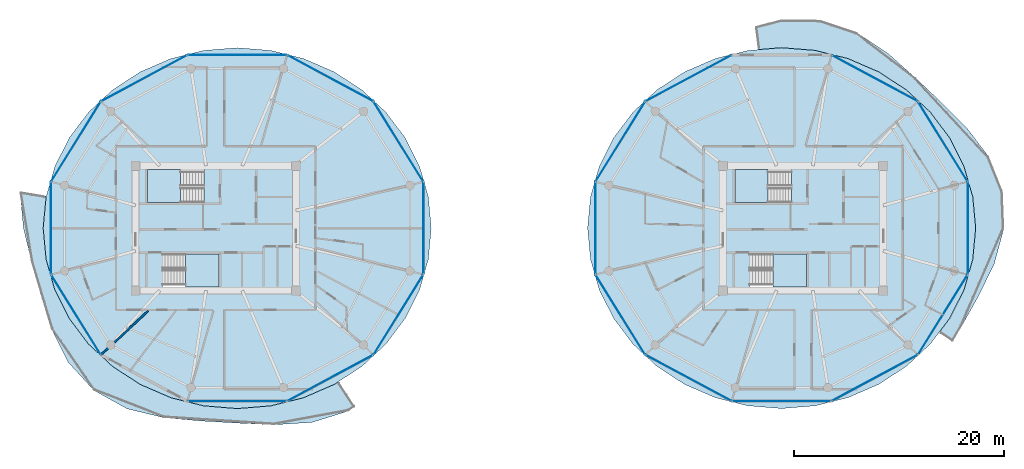
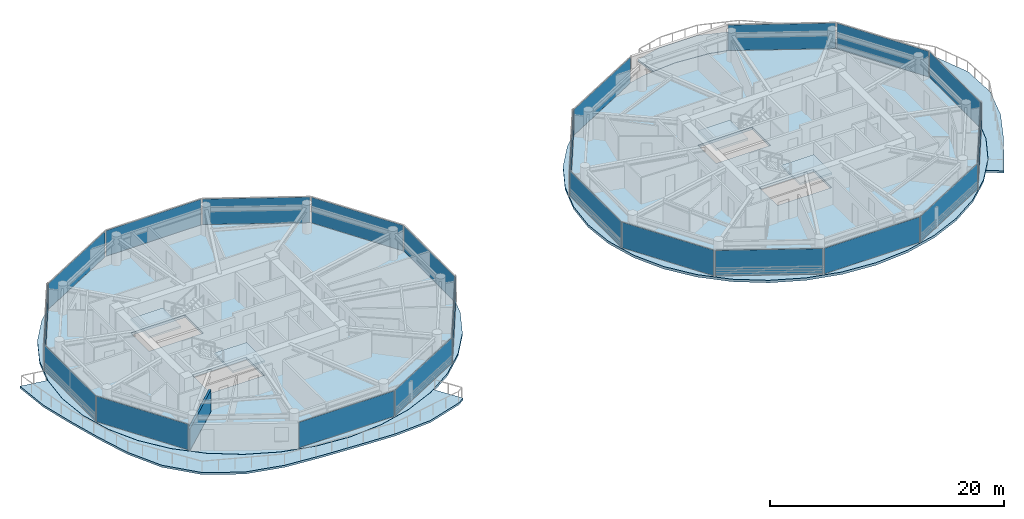
# One storey, part 12 of 24: 22 plates, 8 slabs, 1 wall, 26 elements without a shape of their own.
"""IFC4 building model written with IfcOpenShell, lengths in metres."""

from ifc_helpers import new_model, si_unit, direction, frame, frame_2d, origin, origin_2d, place, context, subcontext, project, spatial, polyline, rectangle, outline, extrude, source, transform, mapped, material, layer, layer_set, type_object, type_shapes, element, aggregate, save


model = new_model("IFC4")

# Units and contexts
model_context = context("Model", 3, precision=1e-05, world=origin(), true_north=direction((0.0, 1.0)))
body_context = subcontext(model_context, "Body", "Model", "MODEL_VIEW")
ifc_project = project(units=[si_unit("LENGTHUNIT", "METRE"), si_unit("AREAUNIT", "SQUARE_METRE"), si_unit("VOLUMEUNIT", "CUBIC_METRE"), si_unit("PLANEANGLEUNIT", "RADIAN"), si_unit("MASSUNIT", "GRAM", prefix="KILO")], contexts=[model_context])

# Site, building, storey
site_placement = place(None, origin())
site = spatial("IfcSite", under=ifc_project, at=site_placement, CompositionType="ELEMENT")
building_placement = place(site_placement, origin())
building = spatial("IfcBuilding", under=site, at=building_placement, Name="Norrkilde Senior Care Towers", CompositionType="ELEMENT")
storey_placement = place(building_placement, frame((0.0, 0.0, 108.449951171875)))
storey = spatial("IfcBuildingStorey", under=building, at=storey_placement, Name="L33", CompositionType="ELEMENT", Elevation=108.449951171875)

# Slabs
ifc_material_1 = material(Name="Concrete C50/60", Category="concrete")
ifc_layer_1 = layer(ifc_material_1, 0.215087890625)
ifc_layer_set_1 = layer_set([ifc_layer_1], Name="Concrete C50/60")
slab_type_1 = type_object("IfcSlabType", Name="Sinusoidal Balcony Ribbon Slab 215", PredefinedType="FLOOR", material=ifc_layer_set_1)
slab_1_placement = place(storey_placement, frame((0.0, 0.0, -0.21484375)))
element("IfcSlab", 1, at=slab_1_placement, inside=storey, type_object=slab_type_1, Name="L33 Drum W Swirling Senior Balcony 1", PredefinedType="FLOOR", context=body_context, shape_type="SweptSolid", body=[
    extrude(outline(polyline([(-18.824951171875, -18.520263671875), (-22.440673828125, -18.749267578125), (-25.949951171875, -18.587890625), (-29.39990234375, -18.38720703125), (-32.923828125, -18.073486328125), (-36.4501953125, -17.224853515625), (-39.625, -15.462158203125), (-42.053466796875, -12.79931640625), (-43.639892578125, -9.635986328125), (-44.67578125, -6.407958984375), (-45.55078125, -3.248779296875), (-46.33544921875, 0.0), (-46.66015625, 3.4580078125), (-44.15869140625, 3.040283203125), (-44.173828125, 2.987548828125), (-44.455078125, 0.0), (-44.173828125, -2.987548828125), (-43.339111328125, -5.884521484375), (-41.975830078125, -8.6025390625), (-40.125732421875, -11.05908203125), (-37.8447265625, -13.1796875), (-35.202392578125, -14.89990234375), (-32.279052734375, -16.16748046875), (-29.163330078125, -16.943603515625), (-25.949951171875, -17.205078125), (-22.736572265625, -16.943603515625), (-19.620849609375, -16.16748046875), (-16.697509765625, -14.89990234375), (-16.2919921875, -14.635986328125), (-14.72900390625, -17.00439453125), (-15.33642578125, -17.435791015625), (-18.824951171875, -18.520263671875)])), origin(), (0.0, 0.0, 1.0), 0.21484375),
])
slab_2_placement = place(storey_placement, frame((0.0, 0.0, -0.21484375)))
element("IfcSlab", 2, at=slab_2_placement, inside=storey, type_object=slab_type_1, Name="L33 Drum E Swirling Senior Balcony 1", PredefinedType="FLOOR", context=body_context, shape_type="SweptSolid", body=[
    extrude(outline(polyline([(43.1328125, -9.321044921875), (42.260009765625, -10.814453125), (40.95947265625, -9.9521484375), (41.975830078125, -8.6025390625), (43.339111328125, -5.884521484375), (44.173828125, -2.987548828125), (44.455078125, 0.0), (44.173828125, 2.987548828125), (43.339111328125, 5.884521484375), (41.975830078125, 8.6025390625), (40.125732421875, 11.05908203125), (37.8447265625, 13.1796875), (35.202392578125, 14.89990234375), (32.279052734375, 16.16748046875), (29.163330078125, 16.943603515625), (25.949951171875, 17.205078125), (23.742431640625, 17.025390625), (23.46044921875, 19.200439453125), (25.949951171875, 19.843505859375), (29.631591796875, 19.800048828125), (33.111572265625, 18.62744140625), (36.12890625, 16.6259765625), (38.727783203125, 14.31201171875), (41.166015625, 11.998291015625), (43.5732421875, 9.5947265625), (45.695556640625, 6.80712890625), (47.0107421875, 3.525634765625), (47.15087890625, 0.0), (46.230224609375, -3.377685546875), (44.744384765625, -6.434814453125), (43.1328125, -9.321044921875)])), origin(), (0.0, 0.0, 1.0), 0.21484375),
])

# Stair, slab
ifc_material_2 = material(Name="Concrete C45/55", Category="concrete")
stair_type = type_object("IfcStairType", Name="Core Protected Dogleg Stair Typical 3050", PredefinedType="HALF_TURN_STAIR", material=ifc_material_2)
stair_1_placement = place(storey_placement, origin())
stair_1 = element("IfcStair", 3, at=stair_1_placement, inside=storey, type_object=stair_type, Name="L33 Protected Core Stair W1", PredefinedType="HALF_TURN_STAIR")
ifc_layer_2 = layer(ifc_material_2, 0.199951171875)
ifc_layer_set_2 = layer_set([ifc_layer_2], Name="Concrete C45/55")
slab_type_2 = type_object("IfcSlabType", Name="Stair Landing Slab 200", PredefinedType="LANDING", material=ifc_layer_set_2)
slab_3_placement = place(storey_placement, frame((0.0, 0.0, 1.324951171875)))
slab_3 = element("IfcSlab", 4, at=slab_3_placement, type_object=slab_type_2, Name="ST-W1 landing 1", PredefinedType="LANDING", context=body_context, shape_type="SweptSolid", body=[
    extrude(outline(polyline([(-31.340087890625, 5.590087890625), (-34.5, 5.590087890625), (-34.5, 2.449951171875), (-31.340087890625, 2.449951171875), (-31.340087890625, 5.590087890625)])), origin(), (0.0, 0.0, 1.0), 0.2001953125),
])
aggregate(stair_1, [slab_3])

stair_2_placement = place(storey_placement, origin())
stair_2 = element("IfcStair", 5, at=stair_2_placement, inside=storey, type_object=stair_type, Name="L33 Protected Core Stair W2", PredefinedType="HALF_TURN_STAIR")
slab_4_placement = place(storey_placement, frame((0.0, 0.0, 1.324951171875)))
slab_4 = element("IfcSlab", 6, at=slab_4_placement, type_object=slab_type_2, Name="ST-W2 landing 1", PredefinedType="LANDING", context=body_context, shape_type="SweptSolid", body=[
    extrude(outline(polyline([(-30.860107421875, -5.590087890625), (-27.699951171875, -5.590087890625), (-27.699951171875, -2.449951171875), (-30.860107421875, -2.449951171875), (-30.860107421875, -5.590087890625)])), origin(), (0.0, 0.0, 1.0), 0.2001953125),
])
aggregate(stair_2, [slab_4])

stair_3_placement = place(storey_placement, origin())
stair_3 = element("IfcStair", 7, at=stair_3_placement, inside=storey, type_object=stair_type, Name="L33 Protected Core Stair E1", PredefinedType="HALF_TURN_STAIR")
slab_5_placement = place(storey_placement, frame((0.0, 0.0, 1.324951171875)))
slab_5 = element("IfcSlab", 8, at=slab_5_placement, type_object=slab_type_2, Name="ST-E1 landing 1", PredefinedType="LANDING", context=body_context, shape_type="SweptSolid", body=[
    extrude(outline(polyline([(24.659912109375, 5.590087890625), (21.5, 5.590087890625), (21.5, 2.449951171875), (24.659912109375, 2.449951171875), (24.659912109375, 5.590087890625)])), origin(), (0.0, 0.0, 1.0), 0.2001953125),
])
aggregate(stair_3, [slab_5])

stair_4_placement = place(storey_placement, origin())
stair_4 = element("IfcStair", 9, at=stair_4_placement, inside=storey, type_object=stair_type, Name="L33 Protected Core Stair E2", PredefinedType="HALF_TURN_STAIR")
slab_6_placement = place(storey_placement, frame((0.0, 0.0, 1.324951171875)))
slab_6 = element("IfcSlab", 10, at=slab_6_placement, type_object=slab_type_2, Name="ST-E2 landing 1", PredefinedType="LANDING", context=body_context, shape_type="SweptSolid", body=[
    extrude(outline(polyline([(25.139892578125, -5.590087890625), (28.300048828125, -5.590087890625), (28.300048828125, -2.449951171875), (25.139892578125, -2.449951171875), (25.139892578125, -5.590087890625)])), origin(), (0.0, 0.0, 1.0), 0.2001953125),
])
aggregate(stair_4, [slab_6])

# Slabs
ifc_layer_3 = layer(ifc_material_1, 0.260009765625)
ifc_layer_set_3 = layer_set([ifc_layer_3], Name="Concrete C50/60")
slab_type_3 = type_object("IfcSlabType", Name="Tower Care Floor Slab 260", PredefinedType="FLOOR", material=ifc_layer_set_3)
slab_7_placement = place(storey_placement, frame((0.0, 0.0, -0.260009765625)))
element("IfcSlab", 11, at=slab_7_placement, inside=storey, type_object=slab_type_3, Name="L33 Drum W Structural Floor Slab", PredefinedType="FLOOR", context=body_context, shape_type="SweptSolid", body=[
    extrude(outline(polyline([(-8.565673828125, -5.8828125), (-9.928466796875, -8.60009765625), (-11.778076171875, -11.055908203125), (-14.058349609375, -13.176025390625), (-16.699951171875, -14.895751953125), (-19.62255859375, -16.16259765625), (-22.737548828125, -16.938720703125), (-25.949951171875, -17.199951171875), (-29.16259765625, -16.938720703125), (-32.27734375, -16.16259765625), (-35.199951171875, -14.895751953125), (-37.841552734375, -13.176025390625), (-40.121826171875, -11.055908203125), (-41.971435546875, -8.60009765625), (-43.334228515625, -5.8828125), (-44.1689453125, -2.98681640625), (-44.449951171875, 0.0), (-44.1689453125, 2.98681640625), (-43.334228515625, 5.8828125), (-41.971435546875, 8.60009765625), (-40.121826171875, 11.055908203125), (-37.841552734375, 13.176025390625), (-35.199951171875, 14.895751953125), (-32.27734375, 16.16259765625), (-29.16259765625, 16.938720703125), (-25.949951171875, 17.199951171875), (-22.737548828125, 16.938720703125), (-19.62255859375, 16.16259765625), (-16.699951171875, 14.895751953125), (-14.058349609375, 13.176025390625), (-11.778076171875, 11.055908203125), (-9.928466796875, 8.60009765625), (-8.565673828125, 5.8828125), (-7.73095703125, 2.98681640625), (-7.449951171875, 0.0), (-7.73095703125, -2.98681640625), (-8.565673828125, -5.8828125)]), holes=[polyline([(-34.48193359375, 2.468017578125), (-29.117919921875, 2.468017578125), (-29.117919921875, 5.590087890625), (-34.48193359375, 5.590087890625), (-34.48193359375, 2.468017578125)]), polyline([(-27.718017578125, -5.590087890625), (-27.718017578125, -2.468017578125), (-33.08203125, -2.468017578125), (-33.08203125, -5.590087890625), (-27.718017578125, -5.590087890625)])]), origin(), (0.0, 0.0, 1.0), 0.260009765625),
])
slab_8_placement = place(storey_placement, frame((0.0, 0.0, -0.260009765625)))
element("IfcSlab", 12, at=slab_8_placement, inside=storey, type_object=slab_type_3, Name="L33 Drum E Structural Floor Slab", PredefinedType="FLOOR", context=body_context, shape_type="SweptSolid", body=[
    extrude(outline(polyline([(43.334228515625, -5.8828125), (41.971435546875, -8.60009765625), (40.121826171875, -11.055908203125), (37.841552734375, -13.176025390625), (35.199951171875, -14.895751953125), (32.27734375, -16.16259765625), (29.16259765625, -16.938720703125), (25.949951171875, -17.199951171875), (22.737548828125, -16.938720703125), (19.62255859375, -16.16259765625), (16.699951171875, -14.895751953125), (14.058349609375, -13.176025390625), (11.778076171875, -11.055908203125), (9.928466796875, -8.60009765625), (8.565673828125, -5.8828125), (7.73095703125, -2.98681640625), (7.449951171875, 0.0), (7.73095703125, 2.98681640625), (8.565673828125, 5.8828125), (9.928466796875, 8.60009765625), (11.778076171875, 11.055908203125), (14.058349609375, 13.176025390625), (16.699951171875, 14.895751953125), (19.62255859375, 16.16259765625), (22.737548828125, 16.938720703125), (25.949951171875, 17.199951171875), (29.16259765625, 16.938720703125), (32.27734375, 16.16259765625), (35.199951171875, 14.895751953125), (37.841552734375, 13.176025390625), (40.121826171875, 11.055908203125), (41.971435546875, 8.60009765625), (43.334228515625, 5.8828125), (44.1689453125, 2.98681640625), (44.449951171875, 0.0), (44.1689453125, -2.98681640625), (43.334228515625, -5.8828125)]), holes=[polyline([(21.51806640625, 2.468017578125), (26.882080078125, 2.468017578125), (26.882080078125, 5.590087890625), (21.51806640625, 5.590087890625), (21.51806640625, 2.468017578125)]), polyline([(28.281982421875, -5.590087890625), (28.281982421875, -2.468017578125), (22.91796875, -2.468017578125), (22.91796875, -5.590087890625), (28.281982421875, -5.590087890625)])]), origin(), (0.0, 0.0, 1.0), 0.260009765625),
])

# Curtain wall, plate
ifc_material_3 = material(Name="Triple Low-E Insulated Glazing", Category="glass")
ifc_layer_4 = layer(ifc_material_3, 0.195068359375)
ifc_layer_set_4 = layer_set([ifc_layer_4], Name="Triple Low-E Insulated Glazing")
curtain_wall_type = type_object("IfcCurtainWallType", Name="CW3 Zone 2 Assisted Living Curtain Wall", PredefinedType="NOTDEFINED", material=ifc_layer_set_4)
curtain_wall_1_placement = place(storey_placement, origin())
curtain_wall_1 = element("IfcCurtainWall", 13, at=curtain_wall_1_placement, inside=storey, type_object=curtain_wall_type, Name="L33 Drum W Curtain Wall 00", PredefinedType="NOTDEFINED")
ifc_layer_5 = layer(ifc_material_3, 0.035888671875)
ifc_layer_set_5 = layer_set([ifc_layer_5], Name="Triple Low-E Insulated Glazing")
plate_type = type_object("IfcPlateType", Name="Triple Low-E Vision Curtain Panel 36", PredefinedType="CURTAIN_PANEL", material=ifc_layer_set_5)
shared_shape_1 = source(origin(), body_context, "Body", "SweptSolid", [
    extrude(rectangle(XDim=8.88427734375, YDim=0.035888671875, at=origin_2d()), origin(), (0.0, 0.0, 1.0), 2.669921875),
])
plate_1_placement = place(storey_placement, frame((-10.574951171875, 8.2490234375, 0.06005859375), z_axis=(0.0, 0.0, 1.0), x_axis=(0.527733228002, -0.849410171862, 0.0)))
plate_1 = element("IfcPlate", 14, at=plate_1_placement, type_object=plate_type, Name="CW-3 panel 1.1", PredefinedType="CURTAIN_PANEL", context=body_context, shape_type="MappedRepresentation", body=[
    mapped(shared_shape_1, transform((0.0, 0.0, 0.0), x_axis=(1.0, 0.0, 0.0), y_axis=(0.0, 1.0, 0.0), z_axis=(0.0, 0.0, 1.0), scale=1.0)),
])
aggregate(curtain_wall_1, [plate_1])

curtain_wall_2_placement = place(storey_placement, origin())
curtain_wall_2 = element("IfcCurtainWall", 15, at=curtain_wall_2_placement, inside=storey, type_object=curtain_wall_type, Name="L33 Drum W Curtain Wall 04", PredefinedType="NOTDEFINED")
plate_2_placement = place(storey_placement, frame((-41.3251953125, 8.2490234375, 0.06005859375), z_axis=(0.0, 0.0, 1.0), x_axis=(0.527733228002, 0.849410171862, 0.0)))
plate_2 = element("IfcPlate", 16, at=plate_2_placement, type_object=plate_type, Name="CW-3 panel 1.1", PredefinedType="CURTAIN_PANEL", context=body_context, shape_type="MappedRepresentation", body=[
    mapped(shared_shape_1, transform((0.0, 0.0, 0.0), x_axis=(1.0, 0.0, 0.0), y_axis=(0.0, 1.0, 0.0), z_axis=(0.0, 0.0, 1.0), scale=1.0)),
])
aggregate(curtain_wall_2, [plate_2])

curtain_wall_3_placement = place(storey_placement, origin())
curtain_wall_3 = element("IfcCurtainWall", 17, at=curtain_wall_3_placement, inside=storey, type_object=curtain_wall_type, Name="L33 Drum W Curtain Wall 06", PredefinedType="NOTDEFINED")
plate_3_placement = place(storey_placement, frame((-41.3251953125, -8.2490234375, 0.06005859375), z_axis=(0.0, 0.0, 1.0), x_axis=(-0.527733228002, 0.849410171862, 0.0)))
plate_3 = element("IfcPlate", 18, at=plate_3_placement, type_object=plate_type, Name="CW-3 panel 1.1", PredefinedType="CURTAIN_PANEL", context=body_context, shape_type="MappedRepresentation", body=[
    mapped(shared_shape_1, transform((0.0, 0.0, 0.0), x_axis=(1.0, 0.0, 0.0), y_axis=(0.0, 1.0, 0.0), z_axis=(0.0, 0.0, 1.0), scale=1.0)),
])
aggregate(curtain_wall_3, [plate_3])

curtain_wall_4_placement = place(storey_placement, origin())
curtain_wall_4 = element("IfcCurtainWall", 19, at=curtain_wall_4_placement, inside=storey, type_object=curtain_wall_type, Name="L33 Drum W Curtain Wall 10", PredefinedType="NOTDEFINED")
plate_4_placement = place(storey_placement, frame((-10.574951171875, -8.2490234375, 0.06005859375), z_axis=(0.0, 0.0, 1.0), x_axis=(-0.527733228002, -0.849410171862, 0.0)))
plate_4 = element("IfcPlate", 20, at=plate_4_placement, type_object=plate_type, Name="CW-3 panel 1.1", PredefinedType="CURTAIN_PANEL", context=body_context, shape_type="MappedRepresentation", body=[
    mapped(shared_shape_1, transform((0.0, 0.0, 0.0), x_axis=(1.0, 0.0, 0.0), y_axis=(0.0, 1.0, 0.0), z_axis=(0.0, 0.0, 1.0), scale=1.0)),
])
aggregate(curtain_wall_4, [plate_4])

curtain_wall_5_placement = place(storey_placement, origin())
curtain_wall_5 = element("IfcCurtainWall", 21, at=curtain_wall_5_placement, inside=storey, type_object=curtain_wall_type, Name="L33 Drum E Curtain Wall 00", PredefinedType="NOTDEFINED")
plate_5_placement = place(storey_placement, frame((41.3251953125, 8.2490234375, 0.06005859375), z_axis=(0.0, 0.0, 1.0), x_axis=(0.527733228002, -0.849410171862, 0.0)))
plate_5 = element("IfcPlate", 22, at=plate_5_placement, type_object=plate_type, Name="CW-3 panel 1.1", PredefinedType="CURTAIN_PANEL", context=body_context, shape_type="MappedRepresentation", body=[
    mapped(shared_shape_1, transform((0.0, 0.0, 0.0), x_axis=(1.0, 0.0, 0.0), y_axis=(0.0, 1.0, 0.0), z_axis=(0.0, 0.0, 1.0), scale=1.0)),
])
aggregate(curtain_wall_5, [plate_5])

curtain_wall_6_placement = place(storey_placement, origin())
curtain_wall_6 = element("IfcCurtainWall", 23, at=curtain_wall_6_placement, inside=storey, type_object=curtain_wall_type, Name="L33 Drum E Curtain Wall 04", PredefinedType="NOTDEFINED")
plate_6_placement = place(storey_placement, frame((10.574951171875, 8.2490234375, 0.06005859375), z_axis=(0.0, 0.0, 1.0), x_axis=(0.527733228002, 0.849410171862, 0.0)))
plate_6 = element("IfcPlate", 24, at=plate_6_placement, type_object=plate_type, Name="CW-3 panel 1.1", PredefinedType="CURTAIN_PANEL", context=body_context, shape_type="MappedRepresentation", body=[
    mapped(shared_shape_1, transform((0.0, 0.0, 0.0), x_axis=(1.0, 0.0, 0.0), y_axis=(0.0, 1.0, 0.0), z_axis=(0.0, 0.0, 1.0), scale=1.0)),
])
aggregate(curtain_wall_6, [plate_6])

curtain_wall_7_placement = place(storey_placement, origin())
curtain_wall_7 = element("IfcCurtainWall", 25, at=curtain_wall_7_placement, inside=storey, type_object=curtain_wall_type, Name="L33 Drum E Curtain Wall 06", PredefinedType="NOTDEFINED")
plate_7_placement = place(storey_placement, frame((10.574951171875, -8.2490234375, 0.06005859375), z_axis=(0.0, 0.0, 1.0), x_axis=(-0.527733228002, 0.849410171862, 0.0)))
plate_7 = element("IfcPlate", 26, at=plate_7_placement, type_object=plate_type, Name="CW-3 panel 1.1", PredefinedType="CURTAIN_PANEL", context=body_context, shape_type="MappedRepresentation", body=[
    mapped(shared_shape_1, transform((0.0, 0.0, 0.0), x_axis=(1.0, 0.0, 0.0), y_axis=(0.0, 1.0, 0.0), z_axis=(0.0, 0.0, 1.0), scale=1.0)),
])
aggregate(curtain_wall_7, [plate_7])

curtain_wall_8_placement = place(storey_placement, origin())
curtain_wall_8 = element("IfcCurtainWall", 27, at=curtain_wall_8_placement, inside=storey, type_object=curtain_wall_type, Name="L33 Drum E Curtain Wall 10", PredefinedType="NOTDEFINED")
plate_8_placement = place(storey_placement, frame((41.3251953125, -8.2490234375, 0.06005859375), z_axis=(0.0, 0.0, 1.0), x_axis=(-0.527733228002, -0.849410171862, 0.0)))
plate_8 = element("IfcPlate", 28, at=plate_8_placement, type_object=plate_type, Name="CW-3 panel 1.1", PredefinedType="CURTAIN_PANEL", context=body_context, shape_type="MappedRepresentation", body=[
    mapped(shared_shape_1, transform((0.0, 0.0, 0.0), x_axis=(1.0, 0.0, 0.0), y_axis=(0.0, 1.0, 0.0), z_axis=(0.0, 0.0, 1.0), scale=1.0)),
])
aggregate(curtain_wall_8, [plate_8])

curtain_wall_9_placement = place(storey_placement, origin())
curtain_wall_9 = element("IfcCurtainWall", 29, at=curtain_wall_9_placement, inside=storey, type_object=curtain_wall_type, Name="L33 Drum W Curtain Wall 01", PredefinedType="NOTDEFINED")
shared_shape_2 = source(origin(), body_context, "Body", "SweptSolid", [
    extrude(rectangle(XDim=9.220458984375, YDim=0.035888671875, at=origin_2d()), origin(), (0.0, 0.0, 1.0), 2.669921875),
])
plate_9_placement = place(storey_placement, frame((-17.0732421875, 14.28759765625, 0.06005859375), z_axis=(0.0, 0.0, 1.0), x_axis=(0.881186184668, -0.472769402511, 0.0)))
plate_9 = element("IfcPlate", 30, at=plate_9_placement, type_object=plate_type, Name="CW-3 panel 1.1", PredefinedType="CURTAIN_PANEL", context=body_context, shape_type="MappedRepresentation", body=[
    mapped(shared_shape_2, transform((0.0, 0.0, 0.0), x_axis=(1.0, 0.0, 0.0), y_axis=(0.0, 1.0, 0.0), z_axis=(0.0, 0.0, 1.0), scale=1.0)),
])
aggregate(curtain_wall_9, [plate_9])

curtain_wall_10_placement = place(storey_placement, origin())
curtain_wall_10 = element("IfcCurtainWall", 31, at=curtain_wall_10_placement, inside=storey, type_object=curtain_wall_type, Name="L33 Drum W Curtain Wall 03", PredefinedType="NOTDEFINED")
plate_10_placement = place(storey_placement, frame((-34.826904296875, 14.28759765625, 0.06005859375), z_axis=(0.0, 0.0, 1.0), x_axis=(0.881186184668, 0.472769402511, 0.0)))
plate_10 = element("IfcPlate", 32, at=plate_10_placement, type_object=plate_type, Name="CW-3 panel 1.1", PredefinedType="CURTAIN_PANEL", context=body_context, shape_type="MappedRepresentation", body=[
    mapped(shared_shape_2, transform((0.0, 0.0, 0.0), x_axis=(1.0, 0.0, 0.0), y_axis=(0.0, 1.0, 0.0), z_axis=(0.0, 0.0, 1.0), scale=1.0)),
])
aggregate(curtain_wall_10, [plate_10])

curtain_wall_11_placement = place(storey_placement, origin())
curtain_wall_11 = element("IfcCurtainWall", 33, at=curtain_wall_11_placement, inside=storey, type_object=curtain_wall_type, Name="L33 Drum W Curtain Wall 09", PredefinedType="NOTDEFINED")
plate_11_placement = place(storey_placement, frame((-17.0732421875, -14.28759765625, 0.06005859375), z_axis=(0.0, 0.0, 1.0), x_axis=(-0.881186184668, -0.472769402511, 0.0)))
plate_11 = element("IfcPlate", 34, at=plate_11_placement, type_object=plate_type, Name="CW-3 panel 1.1", PredefinedType="CURTAIN_PANEL", context=body_context, shape_type="MappedRepresentation", body=[
    mapped(shared_shape_2, transform((0.0, 0.0, 0.0), x_axis=(1.0, 0.0, 0.0), y_axis=(0.0, 1.0, 0.0), z_axis=(0.0, 0.0, 1.0), scale=1.0)),
])
aggregate(curtain_wall_11, [plate_11])

curtain_wall_12_placement = place(storey_placement, origin())
curtain_wall_12 = element("IfcCurtainWall", 35, at=curtain_wall_12_placement, inside=storey, type_object=curtain_wall_type, Name="L33 Drum E Curtain Wall 01", PredefinedType="NOTDEFINED")
plate_12_placement = place(storey_placement, frame((34.826904296875, 14.28759765625, 0.06005859375), z_axis=(0.0, 0.0, 1.0), x_axis=(0.881186184668, -0.472769402511, 0.0)))
plate_12 = element("IfcPlate", 36, at=plate_12_placement, type_object=plate_type, Name="CW-3 panel 1.1", PredefinedType="CURTAIN_PANEL", context=body_context, shape_type="MappedRepresentation", body=[
    mapped(shared_shape_2, transform((0.0, 0.0, 0.0), x_axis=(1.0, 0.0, 0.0), y_axis=(0.0, 1.0, 0.0), z_axis=(0.0, 0.0, 1.0), scale=1.0)),
])
aggregate(curtain_wall_12, [plate_12])

curtain_wall_13_placement = place(storey_placement, origin())
curtain_wall_13 = element("IfcCurtainWall", 37, at=curtain_wall_13_placement, inside=storey, type_object=curtain_wall_type, Name="L33 Drum E Curtain Wall 03", PredefinedType="NOTDEFINED")
plate_13_placement = place(storey_placement, frame((17.0732421875, 14.28759765625, 0.06005859375), z_axis=(0.0, 0.0, 1.0), x_axis=(0.881186184668, 0.472769402511, 0.0)))
plate_13 = element("IfcPlate", 38, at=plate_13_placement, type_object=plate_type, Name="CW-3 panel 1.1", PredefinedType="CURTAIN_PANEL", context=body_context, shape_type="MappedRepresentation", body=[
    mapped(shared_shape_2, transform((0.0, 0.0, 0.0), x_axis=(1.0, 0.0, 0.0), y_axis=(0.0, 1.0, 0.0), z_axis=(0.0, 0.0, 1.0), scale=1.0)),
])
aggregate(curtain_wall_13, [plate_13])

curtain_wall_14_placement = place(storey_placement, origin())
curtain_wall_14 = element("IfcCurtainWall", 39, at=curtain_wall_14_placement, inside=storey, type_object=curtain_wall_type, Name="L33 Drum E Curtain Wall 07", PredefinedType="NOTDEFINED")
plate_14_placement = place(storey_placement, frame((17.0732421875, -14.28759765625, 0.06005859375), z_axis=(0.0, 0.0, 1.0), x_axis=(-0.881186184668, 0.472769402511, 0.0)))
plate_14 = element("IfcPlate", 40, at=plate_14_placement, type_object=plate_type, Name="CW-3 panel 1.1", PredefinedType="CURTAIN_PANEL", context=body_context, shape_type="MappedRepresentation", body=[
    mapped(shared_shape_2, transform((0.0, 0.0, 0.0), x_axis=(1.0, 0.0, 0.0), y_axis=(0.0, 1.0, 0.0), z_axis=(0.0, 0.0, 1.0), scale=1.0)),
])
aggregate(curtain_wall_14, [plate_14])

curtain_wall_15_placement = place(storey_placement, origin())
curtain_wall_15 = element("IfcCurtainWall", 41, at=curtain_wall_15_placement, inside=storey, type_object=curtain_wall_type, Name="L33 Drum E Curtain Wall 09", PredefinedType="NOTDEFINED")
plate_15_placement = place(storey_placement, frame((34.826904296875, -14.28759765625, 0.06005859375), z_axis=(0.0, 0.0, 1.0), x_axis=(-0.881186184668, -0.472769402511, 0.0)))
plate_15 = element("IfcPlate", 42, at=plate_15_placement, type_object=plate_type, Name="CW-3 panel 1.1", PredefinedType="CURTAIN_PANEL", context=body_context, shape_type="MappedRepresentation", body=[
    mapped(shared_shape_2, transform((0.0, 0.0, 0.0), x_axis=(1.0, 0.0, 0.0), y_axis=(0.0, 1.0, 0.0), z_axis=(0.0, 0.0, 1.0), scale=1.0)),
])
aggregate(curtain_wall_15, [plate_15])

curtain_wall_16_placement = place(storey_placement, origin())
curtain_wall_16 = element("IfcCurtainWall", 43, at=curtain_wall_16_placement, inside=storey, type_object=curtain_wall_type, Name="L33 Drum W Curtain Wall 02", PredefinedType="NOTDEFINED")
shared_shape_3 = source(origin(), body_context, "Body", "SweptSolid", [
    extrude(rectangle(XDim=9.38427734375, YDim=0.035888671875, at=origin_2d()), origin(), (0.0, 0.0, 1.0), 2.669921875),
])
plate_16_placement = place(storey_placement, frame((-25.949951171875, 16.498046875, 0.06005859375), z_axis=(0.0, 0.0, 1.0), x_axis=(1.0, 0.0, 0.0)))
plate_16 = element("IfcPlate", 44, at=plate_16_placement, type_object=plate_type, Name="CW-3 panel 1.1", PredefinedType="CURTAIN_PANEL", context=body_context, shape_type="MappedRepresentation", body=[
    mapped(shared_shape_3, transform((0.0, 0.0, 0.0), x_axis=(1.0, 0.0, 0.0), y_axis=(0.0, 1.0, 0.0), z_axis=(0.0, 0.0, 1.0), scale=1.0)),
])
aggregate(curtain_wall_16, [plate_16])

curtain_wall_17_placement = place(storey_placement, origin())
curtain_wall_17 = element("IfcCurtainWall", 45, at=curtain_wall_17_placement, inside=storey, type_object=curtain_wall_type, Name="L33 Drum W Curtain Wall 08", PredefinedType="NOTDEFINED")
plate_17_placement = place(storey_placement, frame((-25.949951171875, -16.498046875, 0.06005859375), z_axis=(0.0, 0.0, 1.0), x_axis=(-1.0, 0.0, 0.0)))
plate_17 = element("IfcPlate", 46, at=plate_17_placement, type_object=plate_type, Name="CW-3 panel 1.1", PredefinedType="CURTAIN_PANEL", context=body_context, shape_type="MappedRepresentation", body=[
    mapped(shared_shape_3, transform((0.0, 0.0, 0.0), x_axis=(1.0, 0.0, 0.0), y_axis=(0.0, 1.0, 0.0), z_axis=(0.0, 0.0, 1.0), scale=1.0)),
])
aggregate(curtain_wall_17, [plate_17])

curtain_wall_18_placement = place(storey_placement, origin())
curtain_wall_18 = element("IfcCurtainWall", 47, at=curtain_wall_18_placement, inside=storey, type_object=curtain_wall_type, Name="L33 Drum E Curtain Wall 08", PredefinedType="NOTDEFINED")
plate_18_placement = place(storey_placement, frame((25.949951171875, -16.498046875, 0.06005859375), z_axis=(0.0, 0.0, 1.0), x_axis=(-1.0, 0.0, 0.0)))
plate_18 = element("IfcPlate", 48, at=plate_18_placement, type_object=plate_type, Name="CW-3 panel 1.1", PredefinedType="CURTAIN_PANEL", context=body_context, shape_type="MappedRepresentation", body=[
    mapped(shared_shape_3, transform((0.0, 0.0, 0.0), x_axis=(1.0, 0.0, 0.0), y_axis=(0.0, 1.0, 0.0), z_axis=(0.0, 0.0, 1.0), scale=1.0)),
])
aggregate(curtain_wall_18, [plate_18])

curtain_wall_19_placement = place(storey_placement, origin())
curtain_wall_19 = element("IfcCurtainWall", 49, at=curtain_wall_19_placement, inside=storey, type_object=curtain_wall_type, Name="L33 Drum W Curtain Wall 05", PredefinedType="NOTDEFINED")
shared_shape_4 = source(origin(), body_context, "Body", "SweptSolid", [
    extrude(rectangle(XDim=8.711181640625, YDim=0.035888671875, at=origin_2d()), origin(), (0.0, 0.0, 1.0), 2.669921875),
])
type_shapes(plate_type, [shared_shape_1, shared_shape_2, shared_shape_3, shared_shape_4])
plate_19_placement = place(storey_placement, frame((-43.70361328125, 0.0, 0.06005859375), z_axis=(0.0, 0.0, 1.0), x_axis=(0.0, 1.0, 0.0)))
plate_19 = element("IfcPlate", 50, at=plate_19_placement, type_object=plate_type, Name="CW-3 panel 1.1", PredefinedType="CURTAIN_PANEL", context=body_context, shape_type="MappedRepresentation", body=[
    mapped(shared_shape_4, transform((0.0, 0.0, 0.0), x_axis=(1.0, 0.0, 0.0), y_axis=(0.0, 1.0, 0.0), z_axis=(0.0, 0.0, 1.0), scale=1.0)),
])
aggregate(curtain_wall_19, [plate_19])

curtain_wall_20_placement = place(storey_placement, origin())
curtain_wall_20 = element("IfcCurtainWall", 51, at=curtain_wall_20_placement, inside=storey, type_object=curtain_wall_type, Name="L33 Drum W Curtain Wall 11", PredefinedType="NOTDEFINED")
plate_20_placement = place(storey_placement, frame((-8.1962890625, 0.0, 0.06005859375), z_axis=(0.0, 0.0, 1.0), x_axis=(0.0, -1.0, 0.0)))
plate_20 = element("IfcPlate", 52, at=plate_20_placement, type_object=plate_type, Name="CW-3 panel 1.1", PredefinedType="CURTAIN_PANEL", context=body_context, shape_type="MappedRepresentation", body=[
    mapped(shared_shape_4, transform((0.0, 0.0, 0.0), x_axis=(1.0, 0.0, 0.0), y_axis=(0.0, 1.0, 0.0), z_axis=(0.0, 0.0, 1.0), scale=1.0)),
])
aggregate(curtain_wall_20, [plate_20])

curtain_wall_21_placement = place(storey_placement, origin())
curtain_wall_21 = element("IfcCurtainWall", 53, at=curtain_wall_21_placement, inside=storey, type_object=curtain_wall_type, Name="L33 Drum E Curtain Wall 05", PredefinedType="NOTDEFINED")
plate_21_placement = place(storey_placement, frame((8.1962890625, 0.0, 0.06005859375), z_axis=(0.0, 0.0, 1.0), x_axis=(0.0, 1.0, 0.0)))
plate_21 = element("IfcPlate", 54, at=plate_21_placement, type_object=plate_type, Name="CW-3 panel 1.1", PredefinedType="CURTAIN_PANEL", context=body_context, shape_type="MappedRepresentation", body=[
    mapped(shared_shape_4, transform((0.0, 0.0, 0.0), x_axis=(1.0, 0.0, 0.0), y_axis=(0.0, 1.0, 0.0), z_axis=(0.0, 0.0, 1.0), scale=1.0)),
])
aggregate(curtain_wall_21, [plate_21])

curtain_wall_22_placement = place(storey_placement, origin())
curtain_wall_22 = element("IfcCurtainWall", 55, at=curtain_wall_22_placement, inside=storey, type_object=curtain_wall_type, Name="L33 Drum E Curtain Wall 11", PredefinedType="NOTDEFINED")
plate_22_placement = place(storey_placement, frame((43.70361328125, 0.0, 0.06005859375), z_axis=(0.0, 0.0, 1.0), x_axis=(0.0, -1.0, 0.0)))
plate_22 = element("IfcPlate", 56, at=plate_22_placement, type_object=plate_type, Name="CW-3 panel 1.1", PredefinedType="CURTAIN_PANEL", context=body_context, shape_type="MappedRepresentation", body=[
    mapped(shared_shape_4, transform((0.0, 0.0, 0.0), x_axis=(1.0, 0.0, 0.0), y_axis=(0.0, 1.0, 0.0), z_axis=(0.0, 0.0, 1.0), scale=1.0)),
])
aggregate(curtain_wall_22, [plate_22])

# Wall
ifc_material_4 = material(Name="Gypsum Acoustic Board")
ifc_layer_6 = layer(ifc_material_4, 0.18994140625)
ifc_layer_set_6 = layer_set([ifc_layer_6], Name="Gypsum Acoustic Board")
wall_type = type_object("IfcWallType", Name="Unit Demising Acoustic Wall 190", PredefinedType="PARTITIONING", material=ifc_layer_set_6)
shared_shape_5 = source(origin(), body_context, "Body", "SweptSolid", [
    extrude(rectangle(XDim=6.186767578125, YDim=0.18994140625, at=frame_2d((3.09326171875, 0.0))), origin(), (0.0, 0.0, 1.0), 2.275146484375),
])
type_shapes(wall_type, [shared_shape_5])
wall_placement = place(storey_placement, frame((-34.428955078125, -7.8798828125, 0.0), z_axis=(0.0, 0.0, 1.0), x_axis=(-0.732501077882, -0.680765870841, 0.0)))
element("IfcWall", 57, at=wall_placement, inside=storey, type_object=wall_type, Name="WL-INT-L33-W-DEM-07-0", PredefinedType="PARTITIONING", context=body_context, shape_type="MappedRepresentation", body=[
    mapped(shared_shape_5, transform((0.0, 0.0, 0.0), x_axis=(1.0, 0.0, 0.0), y_axis=(0.0, 1.0, 0.0), z_axis=(0.0, 0.0, 1.0), scale=1.0)),
])

save(model, "model.ifc")
